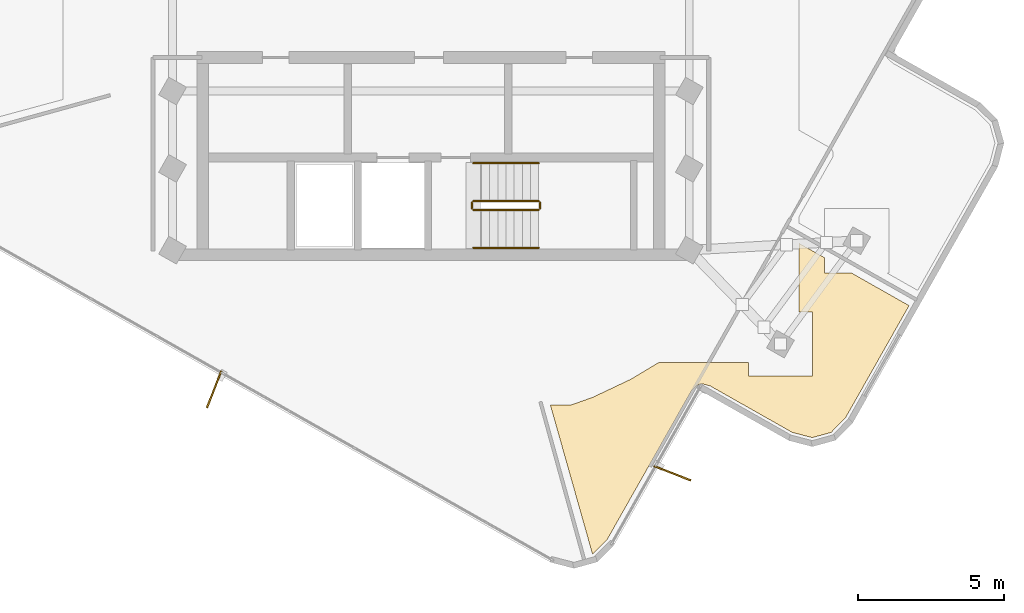
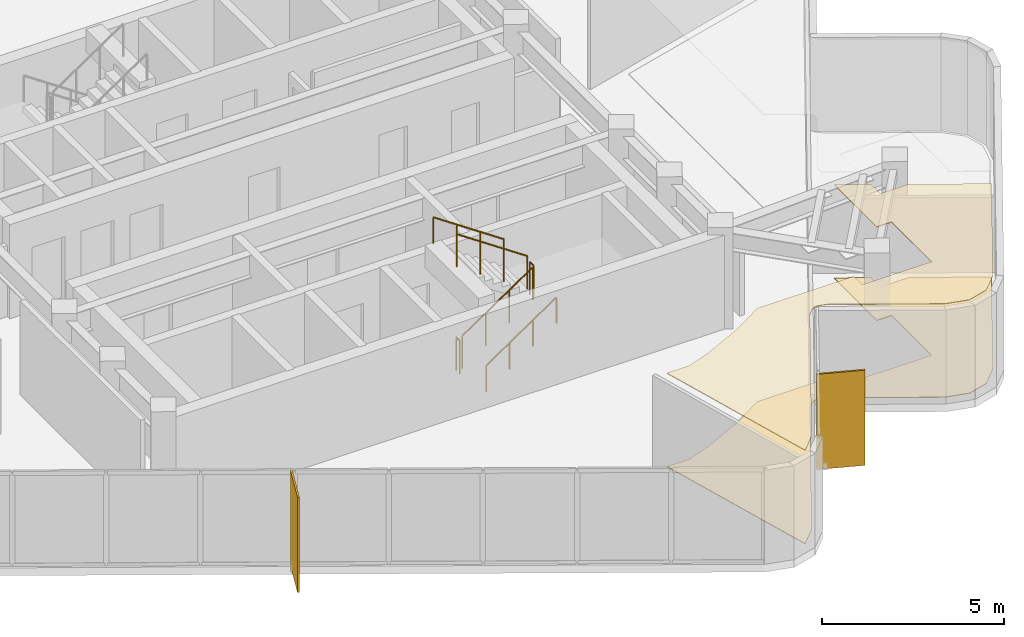
# One storey, part 7 of 9: 6 railings, 2 coverings, 2 shading devices.
"""IFC4 building model written with IfcOpenShell, lengths in metres."""

from ifc_helpers import new_model, si_unit, direction, frame, origin, origin_2d, place, context, subcontext, project, spatial, polyline, rectangle, circle, outline, extrude, material, layer, layer_set, type_object, element, save


model = new_model("IFC4")

# Units and contexts
model_context = context("Model", 3, precision=1e-05, world=origin(), true_north=direction((0.0, 1.0)))
body_context = subcontext(model_context, "Body", "Model", "MODEL_VIEW")
ifc_project = project(units=[si_unit("LENGTHUNIT", "METRE"), si_unit("AREAUNIT", "SQUARE_METRE"), si_unit("VOLUMEUNIT", "CUBIC_METRE"), si_unit("PLANEANGLEUNIT", "RADIAN"), si_unit("MASSUNIT", "GRAM", prefix="KILO")], contexts=[model_context])

# Site, building, storey
site_placement = place(None, origin())
site = spatial("IfcSite", under=ifc_project, at=site_placement, CompositionType="ELEMENT")
building_placement = place(site_placement, origin())
building = spatial("IfcBuilding", under=site, at=building_placement, Name="Solmarez Civic Tower", CompositionType="ELEMENT")
storey_placement = place(building_placement, frame((0.0, 0.0, 278.280029296875)))
storey = spatial("IfcBuildingStorey", under=building, at=storey_placement, Name="L75", CompositionType="ELEMENT", Elevation=278.280029296875)

# Coverings
ifc_material_1 = material(Name="Perforated Mineral-Fibre Acoustic Ceiling")
ifc_layer_1 = layer(ifc_material_1, 0.02490234375)
ifc_layer_set_1 = layer_set([ifc_layer_1], Name="Perforated Mineral-Fibre Acoustic Ceiling")
covering_type_1 = type_object("IfcCoveringType", Name="COV-CEIL-ACOUSTIC", PredefinedType="CEILING", material=ifc_layer_set_1)
covering_1_placement = place(storey_placement, frame((0.0, 0.0, 3.135009765625)))
element("IfcCovering", 1, at=covering_1_placement, inside=storey, type_object=covering_type_1, Name="L75 Suspended Acoustic Ceiling 4", PredefinedType="CEILING", context=body_context, shape_type="SweptSolid", body=[
    extrude(outline(polyline([(6.81396484375, -12.787109375), (5.552978515625, -13.384033203125), (5.532958984375, -13.39208984375), (4.85107421875, -13.635986328125), (4.844970703125, -13.637939453125), (4.818115234375, -13.64501953125), (4.81298828125, -13.64599609375), (4.7919921875, -13.64892578125), (4.77001953125, -13.64990234375), (4.090087890625, -13.64990234375), (5.534912109375, -18.762939453125), (5.5419921875, -18.760986328125), (6.0390625, -18.2548828125), (8.89697265625, -13.208984375), (8.905029296875, -13.195068359375), (8.908935546875, -13.18896484375), (8.919921875, -13.174072265625), (8.924072265625, -13.1689453125), (8.93994140625, -13.14990234375), (8.944091796875, -13.14599609375), (9.06396484375, -13.02392578125), (9.080078125, -13.009033203125), (9.092041015625, -12.9990234375), (9.111083984375, -12.985107421875), (9.116943359375, -12.98095703125), (9.134033203125, -12.970947265625), (9.152099609375, -12.9619140625), (9.166015625, -12.9560546875), (9.193115234375, -12.946044921875), (9.199951171875, -12.944091796875), (9.216064453125, -12.93994140625), (9.23291015625, -12.93798828125), (9.240966796875, -12.93701171875), (9.2490234375, -12.93603515625), (9.27587890625, -12.93408203125), (9.282958984375, -12.93408203125), (9.31005859375, -12.93603515625), (9.318115234375, -12.93701171875), (9.3349609375, -12.93896484375), (9.35107421875, -12.943115234375), (9.35595703125, -12.945068359375), (9.52001953125, -12.987060546875), (9.5380859375, -12.991943359375), (9.56005859375, -13.0), (9.5810546875, -13.009033203125), (9.597900390625, -13.02001953125), (12.376953125, -14.593017578125), (13.06298828125, -14.77001953125), (13.7060546875, -14.593017578125), (14.202880859375, -14.0869140625), (16.3759765625, -10.2490234375), (14.39208984375, -9.1259765625), (13.48291015625, -9.1259765625), (13.48291015625, -8.611083984375), (12.60009765625, -8.111083984375), (12.60009765625, -10.466064453125), (13.071044921875, -10.466064453125), (13.071044921875, -12.666015625), (10.87109375, -12.666015625), (10.87109375, -12.199951171875), (7.797119140625, -12.199951171875), (6.842041015625, -12.77294921875), (6.826904296875, -12.781005859375), (6.81396484375, -12.787109375)])), origin(), (0.0, 0.0, 1.0), 0.02490234375),
])
ifc_material_2 = material(Name="Polished Tropical Stone Terrazzo Flooring", Category="masonry")
ifc_layer_2 = layer(ifc_material_2, 0.02001953125)
ifc_layer_set_2 = layer_set([ifc_layer_2], Name="Polished Tropical Stone Terrazzo Flooring")
covering_type_2 = type_object("IfcCoveringType", Name="COV-FLOOR-TERRAZZO", PredefinedType="FLOORING", material=ifc_layer_set_2)
covering_2_placement = place(storey_placement, origin())
element("IfcCovering", 2, at=covering_2_placement, inside=storey, type_object=covering_type_2, Name="L75 Terrazzo Floor Finish 4", PredefinedType="FLOORING", context=body_context, shape_type="SweptSolid", body=[
    extrude(outline(polyline([(6.81396484375, -12.787109375), (5.552978515625, -13.384033203125), (5.532958984375, -13.39208984375), (4.85107421875, -13.635986328125), (4.844970703125, -13.637939453125), (4.818115234375, -13.64501953125), (4.81298828125, -13.64599609375), (4.7919921875, -13.64892578125), (4.77001953125, -13.64990234375), (4.090087890625, -13.64990234375), (5.534912109375, -18.762939453125), (5.5419921875, -18.760986328125), (6.0390625, -18.2548828125), (8.89697265625, -13.208984375), (8.905029296875, -13.195068359375), (8.908935546875, -13.18896484375), (8.919921875, -13.174072265625), (8.924072265625, -13.1689453125), (8.93994140625, -13.14990234375), (8.944091796875, -13.14599609375), (9.06396484375, -13.02392578125), (9.080078125, -13.009033203125), (9.092041015625, -12.9990234375), (9.111083984375, -12.985107421875), (9.116943359375, -12.98095703125), (9.134033203125, -12.970947265625), (9.152099609375, -12.9619140625), (9.166015625, -12.9560546875), (9.193115234375, -12.946044921875), (9.199951171875, -12.944091796875), (9.216064453125, -12.93994140625), (9.23291015625, -12.93798828125), (9.240966796875, -12.93701171875), (9.2490234375, -12.93603515625), (9.27587890625, -12.93408203125), (9.282958984375, -12.93408203125), (9.31005859375, -12.93603515625), (9.318115234375, -12.93701171875), (9.3349609375, -12.93896484375), (9.35107421875, -12.943115234375), (9.35595703125, -12.945068359375), (9.52001953125, -12.987060546875), (9.5380859375, -12.991943359375), (9.56005859375, -13.0), (9.5810546875, -13.009033203125), (9.597900390625, -13.02001953125), (12.376953125, -14.593017578125), (13.06298828125, -14.77001953125), (13.7060546875, -14.593017578125), (14.202880859375, -14.0869140625), (16.3759765625, -10.2490234375), (14.39208984375, -9.1259765625), (13.48291015625, -9.1259765625), (13.48291015625, -8.611083984375), (12.60009765625, -8.111083984375), (12.60009765625, -10.466064453125), (13.071044921875, -10.466064453125), (13.071044921875, -12.666015625), (10.87109375, -12.666015625), (10.87109375, -12.199951171875), (7.797119140625, -12.199951171875), (6.842041015625, -12.77294921875), (6.826904296875, -12.781005859375), (6.81396484375, -12.787109375)])), origin(), (0.0, 0.0, 1.0), 0.02001953125),
])

# Shading devices
ifc_material_3 = material(Name="Bronze Anodised Aluminium EN AW-6063 T6", Category="aluminium")
ifc_layer_3 = layer(ifc_material_3, 0.054931640625)
ifc_layer_set_3 = layer_set([ifc_layer_3], Name="Bronze Anodised Aluminium EN AW-6063 T6")
shading_device_type = type_object("IfcShadingDeviceType", Name="FIN-BRONZE-Z56", PredefinedType="USERDEFINED", material=ifc_layer_set_3)
for number, where, z_axis, x_axis, name in (
    (3, (8.26904296875, -15.990966796875, -0.0400390625), (0.0, 0.0, 1.0), (0.93141834824, -0.363950354529, 0.0), "L75 Anodised Bronze Solar Fin FIN-L75-01"),
    (4, (-7.427001953125, -13.117919921875, -0.0400390625), (0.0, 0.0, 1.0), (-0.363950354529, -0.93141834824, 0.0), "L75 Anodised Bronze Solar Fin FIN-L75-02"),
):
    element("IfcShadingDevice", number, at=place(storey_placement, frame(where, z_axis=z_axis, x_axis=x_axis)), inside=storey, type_object=shading_device_type, Name=name, ObjectType="FIN", PredefinedType="USERDEFINED", context=body_context, shape_type="SweptSolid", body=[
        extrude(rectangle(XDim=1.35009765625, YDim=0.054931640625, at=origin_2d()), origin(), (0.0, 0.0, 1.0), 3.199951171875),
    ])

# Railings
ifc_material_4 = material(Name="Painted Steel Stairwell Safety Guard", Category="steel")
railing_type_1 = type_object("IfcRailingType", Name="GUARD-STAIR-1120", PredefinedType="BALUSTRADE", material=ifc_material_4)
railing_1_placement = place(storey_placement, frame((1.449951171875, -6.969970703125, 0.18994140625)))
element("IfcRailing", 5, at=railing_1_placement, inside=storey, type_object=railing_type_1, Name="L75 ST-2 stair guard 1", PredefinedType="BALUSTRADE", context=body_context, shape_type="SweptSolid", body=[
    extrude(circle(Radius=0.02392578125, at=origin_2d()), frame((0.0, 0.0, 1.09619140625), z_axis=(0.827471284677, 0.0, 0.561508034703), x_axis=(0.0, 1.0, 0.0)), (0.0, 0.0, 1.0), 2.70703125),
    extrude(circle(Radius=0.02099609375, at=origin_2d()), origin(), (0.0, 0.0, 1.0), 1.072021484375),
    extrude(circle(Radius=0.02099609375, at=origin_2d()), frame((0.74658203125, 0.0, 0.506591796875)), (0.0, 0.0, 1.0), 1.072021484375),
    extrude(circle(Radius=0.02099609375, at=origin_2d()), frame((1.493408203125, 0.0, 1.013427734375)), (0.0, 0.0, 1.0), 1.072021484375),
    extrude(circle(Radius=0.02099609375, at=origin_2d()), frame((2.239990234375, 0.0, 1.52001953125)), (0.0, 0.0, 1.0), 1.072021484375),
])
railing_2_placement = place(storey_placement, frame((3.739990234375, -6.919921875, 1.7099609375)))
element("IfcRailing", 6, at=railing_2_placement, inside=storey, type_object=railing_type_1, Name="L75 ST-2 stair guard 2", PredefinedType="BALUSTRADE", context=body_context, shape_type="SweptSolid", body=[
    extrude(circle(Radius=0.02392578125, at=origin_2d()), frame((0.0, 0.0, 1.09619140625), z_axis=(0.0, 1.0, 0.0), x_axis=(-1.0, 0.0, 0.0)), (0.0, 0.0, 1.0), 0.199951171875),
    extrude(circle(Radius=0.02099609375, at=origin_2d()), origin(), (0.0, 0.0, 1.0), 1.072021484375),
    extrude(circle(Radius=0.02099609375, at=origin_2d()), frame((0.0, 0.199951171875, 0.0)), (0.0, 0.0, 1.0), 1.072021484375),
])
railing_3_placement = place(storey_placement, frame((3.68994140625, -6.669921875, 1.89990234375)))
element("IfcRailing", 7, at=railing_3_placement, inside=storey, type_object=railing_type_1, Name="L75 ST-2 stair guard 3", PredefinedType="BALUSTRADE", context=body_context, shape_type="SweptSolid", body=[
    extrude(circle(Radius=0.02392578125, at=origin_2d()), frame((0.0, 0.0, 1.09619140625), z_axis=(-0.827471284677, 0.0, 0.561508034703), x_axis=(0.0, -1.0, 0.0)), (0.0, 0.0, 1.0), 2.70703125),
    extrude(circle(Radius=0.02099609375, at=origin_2d()), origin(), (0.0, 0.0, 1.0), 1.072021484375),
    extrude(circle(Radius=0.02099609375, at=origin_2d()), frame((-0.74658203125, 0.0, 0.506591796875)), (0.0, 0.0, 1.0), 1.072021484375),
    extrude(circle(Radius=0.02099609375, at=origin_2d()), frame((-1.493408203125, 0.0, 1.013427734375)), (0.0, 0.0, 1.0), 1.072021484375),
    extrude(circle(Radius=0.02099609375, at=origin_2d()), frame((-2.239990234375, 0.0, 1.52001953125)), (0.0, 0.0, 1.0), 1.072021484375),
])
railing_4_placement = place(storey_placement, frame((1.39990234375, -6.919921875, 0.0)))
element("IfcRailing", 8, at=railing_4_placement, inside=storey, type_object=railing_type_1, Name="L75 ST-2 stair guard 4", PredefinedType="BALUSTRADE", context=body_context, shape_type="SweptSolid", body=[
    extrude(circle(Radius=0.02392578125, at=origin_2d()), frame((0.0, 0.0, 1.09619140625), z_axis=(0.0, 1.0, 0.0), x_axis=(-1.0, 0.0, 0.0)), (0.0, 0.0, 1.0), 0.199951171875),
    extrude(circle(Radius=0.02099609375, at=origin_2d()), origin(), (0.0, 0.0, 1.0), 1.072021484375),
    extrude(circle(Radius=0.02099609375, at=origin_2d()), frame((0.0, 0.199951171875, 0.0)), (0.0, 0.0, 1.0), 1.072021484375),
])
ifc_material_5 = material(Name="Brushed Stainless Steel Tube Handrail", Category="steel")
railing_type_2 = type_object("IfcRailingType", Name="HANDRAIL-STAIR-900", PredefinedType="HANDRAIL", material=ifc_material_5)
railing_5_placement = place(storey_placement, frame((1.449951171875, -8.27001953125, 0.18994140625)))
element("IfcRailing", 9, at=railing_5_placement, inside=storey, type_object=railing_type_2, Name="L75 ST-2 stair handrail 1", PredefinedType="HANDRAIL", context=body_context, shape_type="SweptSolid", body=[
    extrude(circle(Radius=0.02392578125, at=origin_2d()), frame((0.0, 0.0, 0.8759765625), z_axis=(0.827471284677, 0.0, 0.561508034703), x_axis=(0.0, 1.0, 0.0)), (0.0, 0.0, 1.0), 2.70703125),
    extrude(circle(Radius=0.02099609375, at=origin_2d()), origin(), (0.0, 0.0, 1.0), 0.851806640625),
    extrude(circle(Radius=0.02099609375, at=origin_2d()), frame((0.74658203125, 0.0, 0.506591796875)), (0.0, 0.0, 1.0), 0.851806640625),
    extrude(circle(Radius=0.02099609375, at=origin_2d()), frame((1.493408203125, 0.0, 1.013427734375)), (0.0, 0.0, 1.0), 0.851806640625),
    extrude(circle(Radius=0.02099609375, at=origin_2d()), frame((2.239990234375, 0.0, 1.52001953125)), (0.0, 0.0, 1.0), 0.851806640625),
])
railing_6_placement = place(storey_placement, frame((3.68994140625, -5.3701171875, 1.89990234375)))
element("IfcRailing", 10, at=railing_6_placement, inside=storey, type_object=railing_type_2, Name="L75 ST-2 stair handrail 2", PredefinedType="HANDRAIL", context=body_context, shape_type="SweptSolid", body=[
    extrude(circle(Radius=0.02392578125, at=origin_2d()), frame((0.0, 0.0, 0.8759765625), z_axis=(-0.827471284677, 0.0, 0.561508034703), x_axis=(0.0, -1.0, 0.0)), (0.0, 0.0, 1.0), 2.70703125),
    extrude(circle(Radius=0.02099609375, at=origin_2d()), origin(), (0.0, 0.0, 1.0), 0.851806640625),
    extrude(circle(Radius=0.02099609375, at=origin_2d()), frame((-0.74658203125, 0.0, 0.506591796875)), (0.0, 0.0, 1.0), 0.851806640625),
    extrude(circle(Radius=0.02099609375, at=origin_2d()), frame((-1.493408203125, 0.0, 1.013427734375)), (0.0, 0.0, 1.0), 0.851806640625),
    extrude(circle(Radius=0.02099609375, at=origin_2d()), frame((-2.239990234375, 0.0, 1.52001953125)), (0.0, 0.0, 1.0), 0.851806640625),
])

save(model, "model.ifc")
